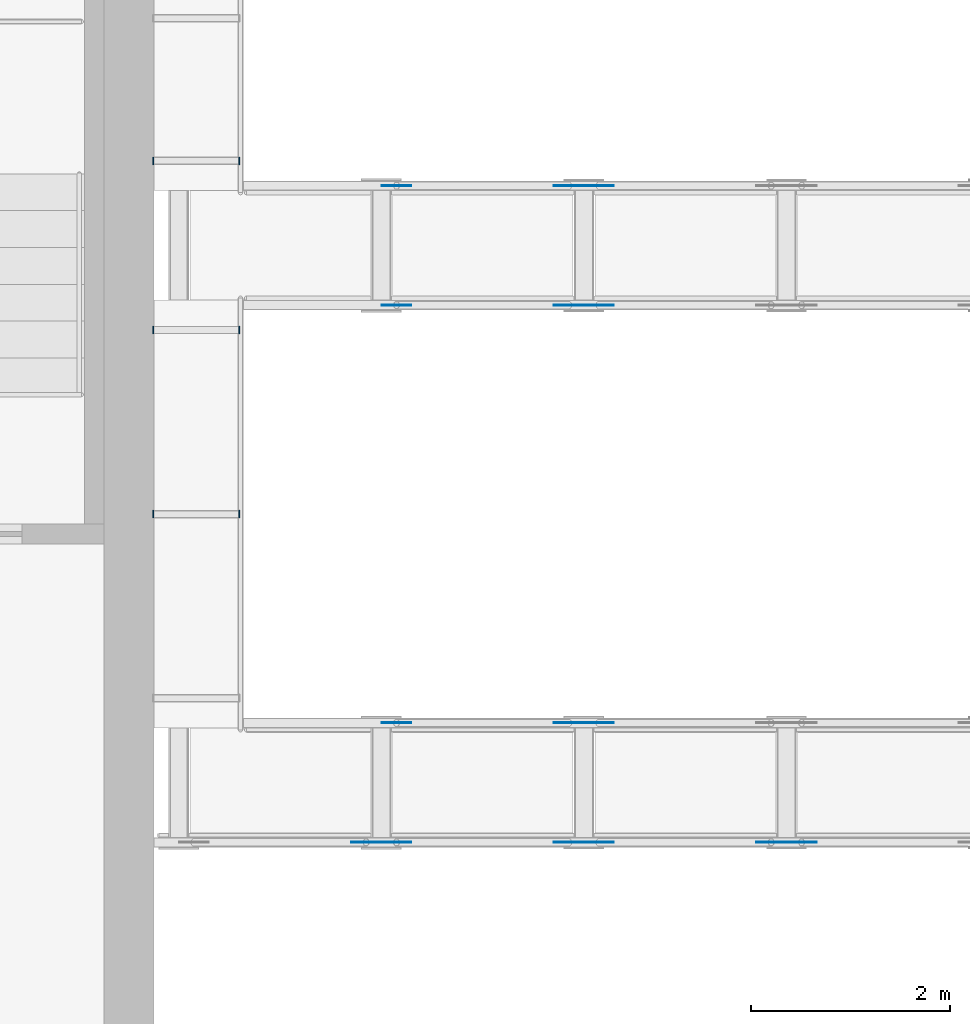
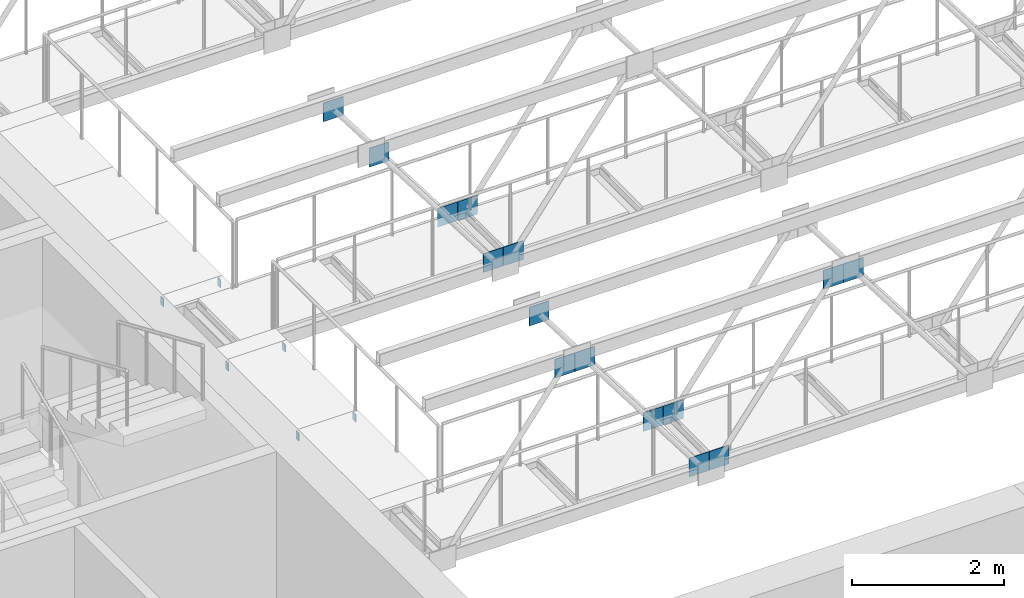
# One storey, part 40 of 70: 21 discrete accessories.
"""IFC4 building model written with IfcOpenShell, lengths in metres."""

from ifc_helpers import new_model, si_unit, direction, frame, origin, origin_2d, place, context, subcontext, project, spatial, rectangle, extrude, material, material_profile, profile_set, type_object, element, save


model = new_model("IFC4")

# Units and contexts
model_context = context("Model", 3, precision=1e-05, world=origin(), true_north=direction((0.0, 1.0)))
body_context = subcontext(model_context, "Body", "Model", "MODEL_VIEW")
ifc_project = project(units=[si_unit("LENGTHUNIT", "METRE"), si_unit("AREAUNIT", "SQUARE_METRE"), si_unit("VOLUMEUNIT", "CUBIC_METRE"), si_unit("PLANEANGLEUNIT", "RADIAN"), si_unit("MASSUNIT", "GRAM", prefix="KILO")], contexts=[model_context])

# Site, building, storey
site_placement = place(None, origin())
site = spatial("IfcSite", under=ifc_project, at=site_placement, CompositionType="ELEMENT")
building_placement = place(site_placement, origin())
building = spatial("IfcBuilding", under=site, at=building_placement, Name="Saffron Lane Theatres", CompositionType="ELEMENT")
storey_placement = place(building_placement, frame((0.0, 0.0, 12.0)))
storey = spatial("IfcBuildingStorey", under=building, at=storey_placement, Name="L02", CompositionType="ELEMENT", Elevation=12.0)

# Discrete accessories
ifc_material_1 = material(Name="Steel Grade 350", Category="steel")
ifc_material_profile_1 = material_profile(ifc_material_1, rectangle(XDim=0.300048828125, YDim=0.300048828125, at=origin_2d()))
ifc_profile_set_1 = profile_set([ifc_material_profile_1], Name="Steel Grade 350")
discrete_accessory_type_1 = type_object("IfcDiscreteAccessoryType", Name="ST-GUSSET CONNECTION PLATE", PredefinedType="BRACKET", material=ifc_profile_set_1)
for number, where, z_axis, x_axis, name in (
    (1, (20.633056640625, 56.9951171875, 6.777099609375), (0.0, 1.0, 0.0), (-1.0, 0.0, 0.0), "GB426"),
    (2, (20.9384765625, 56.9951171875, 6.777099609375), (0.0, 1.0, 0.0), (-1.0, 0.0, 0.0), "GB427"),
    (3, (22.668701171875, 56.9951171875, 4.48291015625), (0.0, 1.0, 0.0), (-1.0, 0.0, 0.0), "GB428"),
    (4, (22.97412109375, 56.9951171875, 4.48291015625), (0.0, 1.0, 0.0), (-1.0, 0.0, 0.0), "GB429"),
    (5, (24.704345703125, 56.9951171875, 6.777099609375), (0.0, 1.0, 0.0), (-1.0, 0.0, 0.0), "GB430"),
    (6, (25.009765625, 56.9951171875, 6.777099609375), (0.0, 1.0, 0.0), (-1.0, 0.0, 0.0), "GB431"),
):
    element("IfcDiscreteAccessory", number, at=place(storey_placement, frame(where, z_axis=z_axis, x_axis=x_axis)), inside=storey, type_object=discrete_accessory_type_1, Name=name, PredefinedType="BRACKET", context=body_context, shape_type="SweptSolid", body=[
        extrude(rectangle(XDim=0.300048828125, YDim=0.300048828125, at=origin_2d()), origin(), (0.0, 0.0, 1.0), 0.009765625),
    ])
for number, where, z_axis, x_axis, name in (
    (7, (20.9384765625, 58.195068359375, 6.777099609375), (0.0, 1.0, 0.0), (-1.0, 0.0, 0.0), "GB453"),
    (8, (22.668701171875, 58.195068359375, 4.48291015625), (0.0, 1.0, 0.0), (-1.0, 0.0, 0.0), "GB454"),
    (9, (22.97412109375, 58.195068359375, 4.48291015625), (0.0, 1.0, 0.0), (-1.0, 0.0, 0.0), "GB455"),
    (10, (20.9384765625, 62.39501953125, 6.777099609375), (0.0, 1.0, 0.0), (-1.0, 0.0, 0.0), "GB477"),
    (11, (22.668701171875, 62.39501953125, 4.48291015625), (0.0, 1.0, 0.0), (-1.0, 0.0, 0.0), "GB478"),
    (12, (22.97412109375, 62.39501953125, 4.48291015625), (0.0, 1.0, 0.0), (-1.0, 0.0, 0.0), "GB479"),
    (13, (20.9384765625, 63.594970703125, 6.777099609375), (0.0, 1.0, 0.0), (-1.0, 0.0, 0.0), "GB501"),
    (14, (22.668701171875, 63.594970703125, 4.48291015625), (0.0, 1.0, 0.0), (-1.0, 0.0, 0.0), "GB502"),
    (15, (22.97412109375, 63.594970703125, 4.48291015625), (0.0, 1.0, 0.0), (-1.0, 0.0, 0.0), "GB503"),
):
    element("IfcDiscreteAccessory", number, at=place(storey_placement, frame(where, z_axis=z_axis, x_axis=x_axis)), inside=storey, type_object=discrete_accessory_type_1, Name=name, PredefinedType="BRACKET", context=body_context, shape_type="SweptSolid", body=[
        extrude(rectangle(XDim=0.300048828125, YDim=0.300048828125, at=origin_2d()), origin(), (0.0, 0.0, 1.0), 0.010009765625),
    ])
ifc_material_2 = material(Name="Steel Grade 350", Category="steel")
ifc_material_profile_2 = material_profile(ifc_material_2, rectangle(XDim=0.074951171875, YDim=0.125, at=origin_2d()))
ifc_profile_set_2 = profile_set([ifc_material_profile_2], Name="Steel Grade 350")
discrete_accessory_type_2 = type_object("IfcDiscreteAccessoryType", Name="ST-STEEL END CAP 125x75x5 RHS", PredefinedType="ANCHORPLATE", material=ifc_profile_set_2)
for number, where, z_axis, x_axis, name in (
    (16, (18.488037109375, 60.300048828125, 4.3974609375), (1.0, 0.0, 0.0), (0.0, 1.0, 0.0), "EC617"),
    (17, (19.35009765625, 60.300048828125, 4.3974609375), (1.0, 0.0, 0.0), (0.0, 1.0, 0.0), "EC618"),
    (18, (18.488037109375, 62.14990234375, 4.3974609375), (1.0, 0.0, 0.0), (0.0, 1.0, 0.0), "EC619"),
    (19, (19.35009765625, 62.14990234375, 4.3974609375), (1.0, 0.0, 0.0), (0.0, 1.0, 0.0), "EC620"),
    (20, (18.488037109375, 63.85009765625, 4.3974609375), (1.0, 0.0, 0.0), (0.0, 1.0, 0.0), "EC627"),
    (21, (19.35009765625, 63.85009765625, 4.3974609375), (1.0, 0.0, 0.0), (0.0, 1.0, 0.0), "EC628"),
):
    element("IfcDiscreteAccessory", number, at=place(storey_placement, frame(where, z_axis=z_axis, x_axis=x_axis)), inside=storey, type_object=discrete_accessory_type_2, Name=name, PredefinedType="ANCHORPLATE", context=body_context, shape_type="SweptSolid", body=[
        extrude(rectangle(XDim=0.074951171875, YDim=0.125, at=origin_2d()), origin(), (0.0, 0.0, 1.0), 0.011962890625),
    ])

save(model, "model.ifc")
